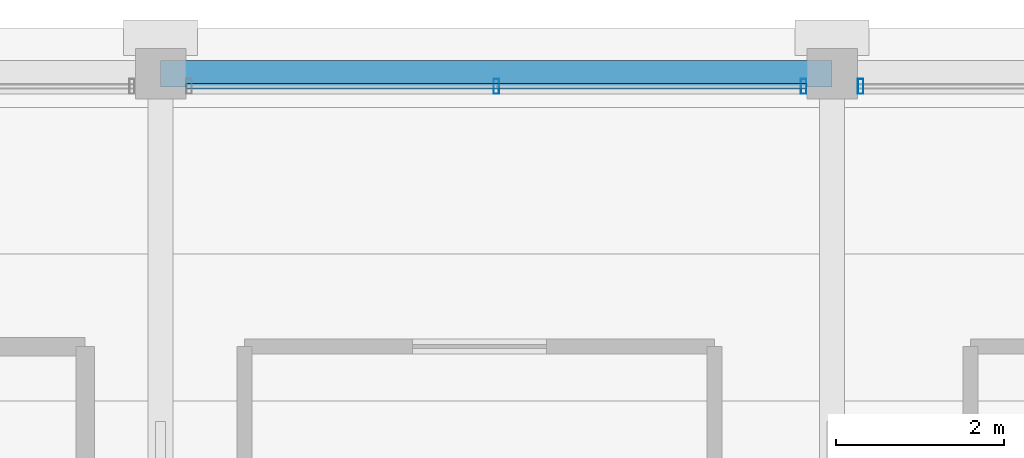
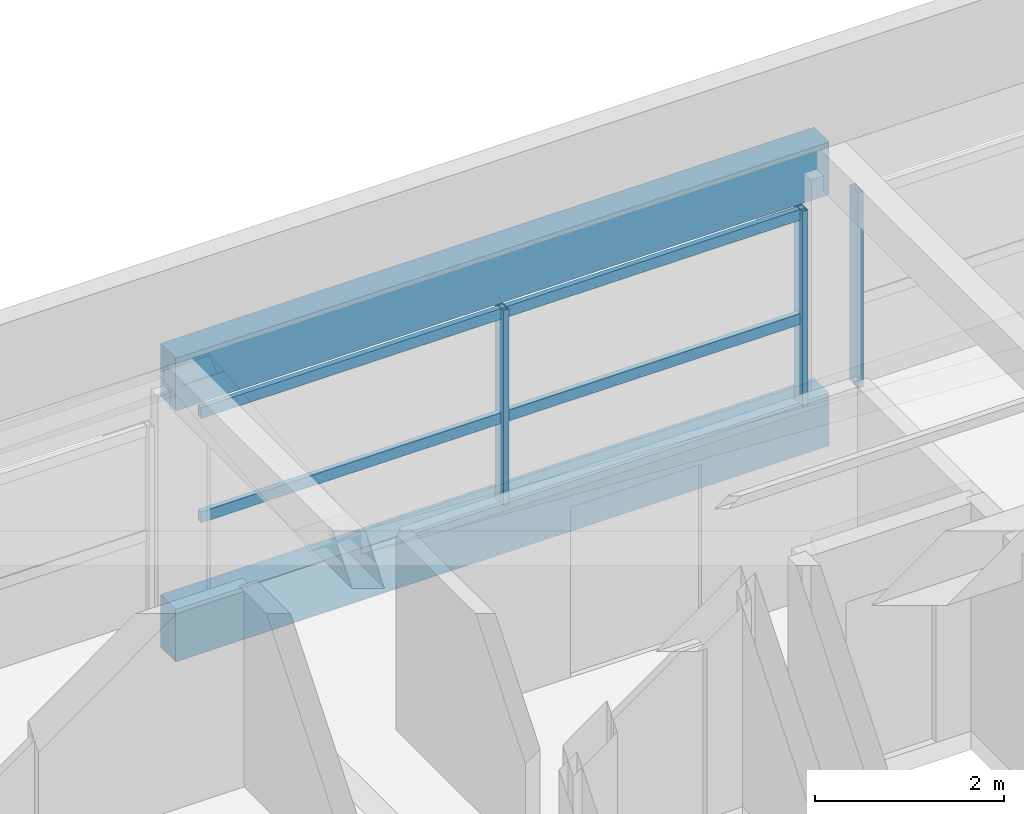
# One storey, part 21 of 39: 5 members, 2 beams, 2 elements without a shape of their own.
"""IFC4 building model written with IfcOpenShell, lengths in metres."""

from ifc_helpers import new_model, si_unit, direction, frame, origin, origin_2d, place, context, subcontext, project, spatial, rectangle, hollow_rectangle, extrude, material, material_profile, profile_set, type_object, element, aggregate, save


model = new_model("IFC4")

# Units and contexts
model_context = context("Model", 3, precision=1e-05, world=origin(), true_north=direction((0.0, 1.0)))
body_context = subcontext(model_context, "Body", "Model", "MODEL_VIEW")
ifc_project = project(units=[si_unit("LENGTHUNIT", "METRE"), si_unit("AREAUNIT", "SQUARE_METRE"), si_unit("VOLUMEUNIT", "CUBIC_METRE"), si_unit("PLANEANGLEUNIT", "RADIAN"), si_unit("MASSUNIT", "GRAM", prefix="KILO")], contexts=[model_context])

# Site, building, storey
site_placement = place(None, origin())
site = spatial("IfcSite", under=ifc_project, at=site_placement, CompositionType="ELEMENT")
building_placement = place(site_placement, origin())
building = spatial("IfcBuilding", under=site, at=building_placement, Name="Akrevak Sports Hall", CompositionType="ELEMENT")
storey_placement = place(building_placement, frame((0.0, 0.0, 66.550048828125)))
storey = spatial("IfcBuildingStorey", under=building, at=storey_placement, Name="L17", CompositionType="ELEMENT", Elevation=66.550048828125)

# Curtain wall, member
ifc_material_1 = material(Name="Anodized Bronze Aluminium & Low-E Glass", Category="aluminium")
curtain_wall_type = type_object("IfcCurtainWallType", Name="ARC-CW-TWR-68x30", PredefinedType="NOTDEFINED", material=ifc_material_1)
curtain_wall_1_placement = place(storey_placement, origin())
curtain_wall_1 = element("IfcCurtainWall", 1, at=curtain_wall_1_placement, inside=storey, type_object=curtain_wall_type, Name="Curtain Wall CW-L17-N20", PredefinedType="NOTDEFINED")
ifc_material_2 = material(Name="Anodized Bronze Aluminium", Category="aluminium")
ifc_material_profile_1 = material_profile(ifc_material_2, hollow_rectangle(XDim=0.06494140625, YDim=0.179931640625, WallThickness=0.00390625, at=origin_2d()), Name="CWM 65x180", Category="aluminium")
ifc_profile_set_1 = profile_set([ifc_material_profile_1], Name="Anodized Bronze Aluminium")
member_type_1 = type_object("IfcMemberType", Name="ARC-CWM-65x140", PredefinedType="MULLION", material=ifc_profile_set_1)
member_1_placement = place(storey_placement, frame((76.340087890625, 69.449951171875, 0.0), z_axis=(0.0, 0.0, 1.0), x_axis=(-1.0, 0.0, 0.0)))
member_1 = element("IfcMember", 2, at=member_1_placement, type_object=member_type_1, Name="Curtain Wall Mullion CW-L17-N20-M3", PredefinedType="MULLION", context=body_context, shape_type="SweptSolid", body=[
    extrude(hollow_rectangle(XDim=0.06494140625, YDim=0.179931640625, WallThickness=0.00390625, at=origin_2d()), origin(), (0.0, 0.0, 1.0), 2.530029296875),
])
aggregate(curtain_wall_1, [member_1])

# Curtain wall, members
curtain_wall_2_placement = place(storey_placement, origin())
curtain_wall_2 = element("IfcCurtainWall", 3, at=curtain_wall_2_placement, inside=storey, type_object=curtain_wall_type, Name="Curtain Wall CW-L17-N21", PredefinedType="NOTDEFINED")
member_2_placement = place(storey_placement, frame((75.659912109375, 69.449951171875, 0.0), z_axis=(0.0, 0.0, 1.0), x_axis=(-1.0, 0.0, 0.0)))
member_2 = element("IfcMember", 4, at=member_2_placement, type_object=member_type_1, Name="Curtain Wall Mullion CW-L17-N21-M1", PredefinedType="MULLION", context=body_context, shape_type="SweptSolid", body=[
    extrude(hollow_rectangle(XDim=0.06494140625, YDim=0.179931640625, WallThickness=0.00390625, at=origin_2d()), origin(), (0.0, 0.0, 1.0), 2.530029296875),
])
member_3_placement = place(storey_placement, frame((72.0, 69.449951171875, 0.0), z_axis=(0.0, 0.0, 1.0), x_axis=(-1.0, 0.0, 0.0)))
member_3 = element("IfcMember", 5, at=member_3_placement, type_object=member_type_1, Name="Curtain Wall Mullion CW-L17-N21-M2", PredefinedType="MULLION", context=body_context, shape_type="SweptSolid", body=[
    extrude(hollow_rectangle(XDim=0.06494140625, YDim=0.179931640625, WallThickness=0.00390625, at=origin_2d()), origin(), (0.0, 0.0, 1.0), 2.530029296875),
])
ifc_material_profile_2 = material_profile(ifc_material_2, hollow_rectangle(XDim=0.06494140625, YDim=0.139892578125, WallThickness=0.00390625, at=origin_2d()), Name="CWT 65x140", Category="aluminium")
ifc_profile_set_2 = profile_set([ifc_material_profile_2], Name="Anodized Bronze Aluminium")
member_type_2 = type_object("IfcMemberType", Name="ARC-CWT-65x110", PredefinedType="USERDEFINED", material=ifc_profile_set_2)
member_4_placement = place(storey_placement, frame((75.699951171875, 69.449951171875, 1.099853515625), z_axis=(-1.0, 0.0, 0.0), x_axis=(0.0, -1.0, 0.0)))
member_4 = element("IfcMember", 6, at=member_4_placement, type_object=member_type_2, Name="Curtain Wall Transom CW-L17-N21-T1", ObjectType="TRANSOM", PredefinedType="USERDEFINED", context=body_context, shape_type="SweptSolid", body=[
    extrude(hollow_rectangle(XDim=0.06494140625, YDim=0.139892578125, WallThickness=0.00390625, at=origin_2d()), origin(), (0.0, 0.0, 1.0), 7.39990234375),
])
member_5_placement = place(storey_placement, frame((75.699951171875, 69.449951171875, 2.449951171875), z_axis=(-1.0, 0.0, 0.0), x_axis=(0.0, -1.0, 0.0)))
member_5 = element("IfcMember", 7, at=member_5_placement, type_object=member_type_2, Name="Curtain Wall Transom CW-L17-N21-T2", ObjectType="TRANSOM", PredefinedType="USERDEFINED", context=body_context, shape_type="SweptSolid", body=[
    extrude(hollow_rectangle(XDim=0.06494140625, YDim=0.139892578125, WallThickness=0.00390625, at=origin_2d()), origin(), (0.0, 0.0, 1.0), 7.39990234375),
])
aggregate(curtain_wall_2, [member_2, member_3, member_4, member_5])

# Beams
ifc_material_3 = material(Name="Concrete C40/50", Category="concrete")
ifc_material_profile_3 = material_profile(ifc_material_3, rectangle(XDim=0.320068359375, YDim=0.679931640625, at=origin_2d()), Name="SPD 320x680", Category="concrete")
ifc_profile_set_3 = profile_set([ifc_material_profile_3], Name="Concrete C40/50")
beam_type = type_object("IfcBeamType", Name="STR-SPD-RC320x680", PredefinedType="SPANDREL", material=ifc_profile_set_3)
for number, where, z_axis, x_axis, name in (
    (8, (68.0, 69.60009765625, -0.340087890625), (1.0, 0.0, 0.0), (0.0, 1.0, 0.0), "Girder K/10-11 (L17)"),
    (9, (68.0, 69.60009765625, 2.909912109375), (1.0, 0.0, 0.0), (0.0, 1.0, 0.0), "Girder K/10-11 (ROOF)"),
):
    element("IfcBeam", number, at=place(storey_placement, frame(where, z_axis=z_axis, x_axis=x_axis)), inside=storey, type_object=beam_type, Name=name, PredefinedType="SPANDREL", context=body_context, shape_type="SweptSolid", body=[
        extrude(rectangle(XDim=0.320068359375, YDim=0.679931640625, at=origin_2d()), origin(), (0.0, 0.0, 1.0), 8.0),
    ])

save(model, "model.ifc")
